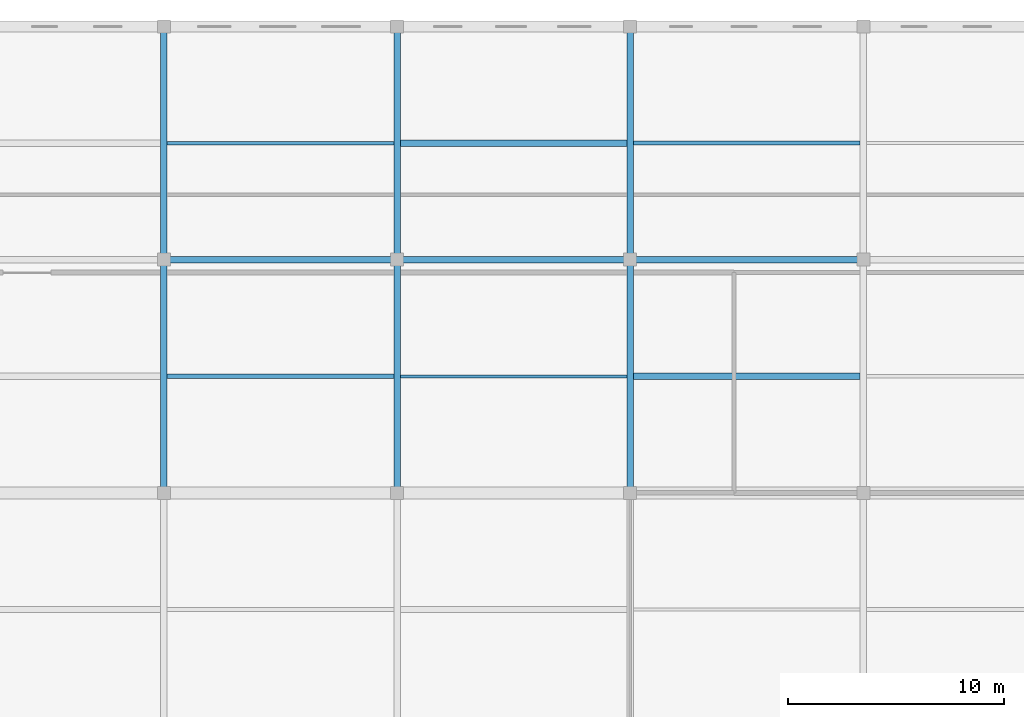
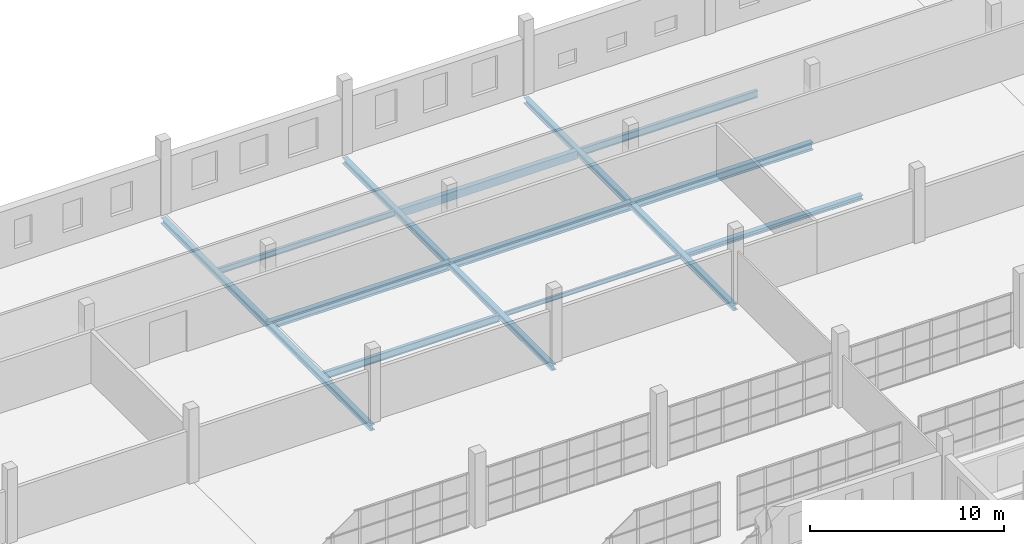
# One storey, part 74 of 142: 15 beams.
"""IFC4 building model written with IfcOpenShell, lengths in metres."""

from ifc_helpers import new_model, si_unit, direction, frame, origin, origin_2d, place, context, subcontext, project, spatial, rectangle, i_section, extrude, material, material_profile, profile_set, type_object, element, save


model = new_model("IFC4")

# Units and contexts
model_context = context("Model", 3, precision=1e-05, world=origin(), true_north=direction((0.0, 1.0)))
body_context = subcontext(model_context, "Body", "Model", "MODEL_VIEW")
ifc_project = project(units=[si_unit("LENGTHUNIT", "METRE"), si_unit("AREAUNIT", "SQUARE_METRE"), si_unit("VOLUMEUNIT", "CUBIC_METRE"), si_unit("PLANEANGLEUNIT", "RADIAN"), si_unit("MASSUNIT", "GRAM", prefix="KILO")], contexts=[model_context])

# Site, building, storey
site_placement = place(None, origin())
site = spatial("IfcSite", under=ifc_project, at=site_placement, CompositionType="ELEMENT")
building_placement = place(site_placement, origin())
building = spatial("IfcBuilding", under=site, at=building_placement, Name="Zwinboog Wholesale Market", CompositionType="ELEMENT")
storey_placement = place(building_placement, frame((0.0, 0.0, 5.39990234375)))
storey = spatial("IfcBuildingStorey", under=building, at=storey_placement, Name="L01", CompositionType="ELEMENT", Elevation=5.39990234375)

# Beams
ifc_material_1 = material(Name="Precast concrete C45/55", Category="concrete")
ifc_material_profile_1 = material_profile(ifc_material_1, rectangle(XDim=0.300048828125, YDim=0.5, at=origin_2d()), Name="PC 300x500")
ifc_profile_set_1 = profile_set([ifc_material_profile_1], Name="Precast concrete C45/55")
beam_type_1 = type_object("IfcBeamType", Name="BT-10", PredefinedType="JOIST", material=ifc_profile_set_1)
beam_1_placement = place(storey_placement, frame((140.550048828125, 124.199951171875, -0.581787109375), z_axis=(1.0, 0.0, 0.0), x_axis=(0.0, 1.0, 0.0)))
element("IfcBeam", 1, at=beam_1_placement, inside=storey, type_object=beam_type_1, Name="BJ-01 (BMG-L01-1406-1242-0880)", PredefinedType="JOIST", context=body_context, shape_type="SweptSolid", body=[
    extrude(rectangle(XDim=0.300048828125, YDim=0.5, at=origin_2d()), origin(), (0.0, 0.0, 1.0), 10.5),
])
ifc_material_2 = material(Name="Steel S355", Category="steel")
ifc_material_profile_2 = material_profile(ifc_material_2, i_section(OverallWidth=0.300048828125, OverallDepth=0.5, WebThickness=0.014404296875, FlangeThickness=0.028076171875, FilletRadius=0.027099609375, at=origin_2d()), Name="HEB 500")
ifc_profile_set_2 = profile_set([ifc_material_profile_2], Name="Steel S355")
beam_type_2 = type_object("IfcBeamType", Name="BT-14", PredefinedType="BEAM", material=ifc_profile_set_2)
beam_2_placement = place(storey_placement, frame((129.60009765625, 118.800048828125, -0.581787109375), z_axis=(1.0, 0.0, 0.0), x_axis=(0.0, 1.0, 0.0)))
element("IfcBeam", 2, at=beam_2_placement, inside=storey, type_object=beam_type_2, Name="SB-01 (BMG-L01-1296-1188-0573)", PredefinedType="BEAM", context=body_context, shape_type="SweptSolid", body=[
    extrude(i_section(OverallWidth=0.300048828125, OverallDepth=0.5, WebThickness=0.014404296875, FlangeThickness=0.028076171875, FilletRadius=0.027099609375, at=origin_2d()), origin(), (0.0, 0.0, 1.0), 10.7998046875),
])
for number, where, z_axis, x_axis, name in (
    (3, (140.39990234375, 118.800048828125, -0.581787109375), (1.0, 0.0, 0.0), (0.0, 1.0, 0.0), "SB-01 (BMG-L01-1404-1188-0574)"),
    (4, (151.199951171875, 118.800048828125, -0.581787109375), (1.0, 0.0, 0.0), (0.0, 1.0, 0.0), "SB-01 (BMG-L01-1512-1188-0575)"),
):
    element("IfcBeam", number, at=place(storey_placement, frame(where, z_axis=z_axis, x_axis=x_axis)), inside=storey, type_object=beam_type_2, Name=name, PredefinedType="BEAM", context=body_context, shape_type="SweptSolid", body=[
        extrude(i_section(OverallWidth=0.300048828125, OverallDepth=0.5, WebThickness=0.014404296875, FlangeThickness=0.028076171875, FilletRadius=0.027099609375, at=origin_2d()), origin(), (0.0, 0.0, 1.0), 10.800048828125),
    ])
ifc_material_profile_3 = material_profile(ifc_material_2, i_section(OverallWidth=0.300048828125, OverallDepth=0.35009765625, WebThickness=0.010009765625, FlangeThickness=0.017578125, FilletRadius=0.027099609375, at=origin_2d()), Name="HEA 360")
ifc_profile_set_3 = profile_set([ifc_material_profile_3], Name="Steel S355")
beam_type_3 = type_object("IfcBeamType", Name="BT-17", PredefinedType="BEAM", material=ifc_profile_set_3)
for number, where, z_axis, x_axis, name in (
    (5, (129.60009765625, 108.0, -0.5068359375), (0.0, 1.0, 0.0), (-1.0, 0.0, 0.0), "SB-04 (BMG-L01-1296-1080-0710)"),
    (6, (129.60009765625, 118.800048828125, -0.5068359375), (0.0, 1.0, 0.0), (-1.0, 0.0, 0.0), "SB-04 (BMG-L01-1296-1188-0711)"),
    (7, (140.39990234375, 108.0, -0.5068359375), (0.0, 1.0, 0.0), (-1.0, 0.0, 0.0), "SB-04 (BMG-L01-1404-1080-0719)"),
    (8, (140.39990234375, 118.800048828125, -0.5068359375), (0.0, 1.0, 0.0), (-1.0, 0.0, 0.0), "SB-04 (BMG-L01-1404-1188-0720)"),
    (9, (151.199951171875, 108.0, -0.5068359375), (0.0, 1.0, 0.0), (-1.0, 0.0, 0.0), "SB-04 (BMG-L01-1512-1080-0731)"),
    (10, (151.199951171875, 118.800048828125, -0.5068359375), (0.0, 1.0, 0.0), (-1.0, 0.0, 0.0), "SB-04 (BMG-L01-1512-1188-0732)"),
):
    element("IfcBeam", number, at=place(storey_placement, frame(where, z_axis=z_axis, x_axis=x_axis)), inside=storey, type_object=beam_type_3, Name=name, PredefinedType="BEAM", context=body_context, shape_type="SweptSolid", body=[
        extrude(i_section(OverallWidth=0.300048828125, OverallDepth=0.35009765625, WebThickness=0.010009765625, FlangeThickness=0.017578125, FilletRadius=0.027099609375, at=origin_2d()), origin(), (0.0, 0.0, 1.0), 10.800048828125),
    ])
ifc_material_profile_4 = material_profile(ifc_material_2, i_section(OverallWidth=0.300048828125, OverallDepth=0.2900390625, WebThickness=0.008544921875, FlangeThickness=0.013916015625, FilletRadius=0.027099609375, at=origin_2d()), Name="HEA 300")
ifc_profile_set_4 = profile_set([ifc_material_profile_4], Name="Steel S355")
beam_type_4 = type_object("IfcBeamType", Name="BT-18", PredefinedType="JOIST", material=ifc_profile_set_4)
beam_3_placement = place(storey_placement, frame((151.35009765625, 113.39990234375, -0.476806640625), z_axis=(1.0, 0.0, 0.0), x_axis=(0.0, 1.0, 0.0)))
element("IfcBeam", 11, at=beam_3_placement, inside=storey, type_object=beam_type_4, Name="SJ-01 (BMG-L01-1514-1134-0881)", PredefinedType="JOIST", context=body_context, shape_type="SweptSolid", body=[
    extrude(i_section(OverallWidth=0.300048828125, OverallDepth=0.2900390625, WebThickness=0.008544921875, FlangeThickness=0.013916015625, FilletRadius=0.027099609375, at=origin_2d()), origin(), (0.0, 0.0, 1.0), 10.5),
])
ifc_material_profile_5 = material_profile(ifc_material_2, i_section(OverallWidth=0.18994140625, OverallDepth=0.449951171875, WebThickness=0.009521484375, FlangeThickness=0.0146484375, FilletRadius=0.02099609375, at=origin_2d()), Name="IPE 450")
ifc_profile_set_5 = profile_set([ifc_material_profile_5], Name="Steel S355")
beam_type_5 = type_object("IfcBeamType", Name="BT-19", PredefinedType="JOIST", material=ifc_profile_set_5)
for number, where, z_axis, x_axis, name in (
    (12, (129.75, 113.39990234375, -0.556884765625), (1.0, 0.0, 0.0), (0.0, 1.0, 0.0), "SJ-02 (BMG-L01-1298-1134-0877)"),
    (13, (151.35009765625, 124.199951171875, -0.556884765625), (1.0, 0.0, 0.0), (0.0, 1.0, 0.0), "SJ-02 (BMG-L01-1514-1242-0882)"),
):
    element("IfcBeam", number, at=place(storey_placement, frame(where, z_axis=z_axis, x_axis=x_axis)), inside=storey, type_object=beam_type_5, Name=name, PredefinedType="JOIST", context=body_context, shape_type="SweptSolid", body=[
        extrude(i_section(OverallWidth=0.18994140625, OverallDepth=0.449951171875, WebThickness=0.009521484375, FlangeThickness=0.0146484375, FilletRadius=0.02099609375, at=origin_2d()), origin(), (0.0, 0.0, 1.0), 10.5),
    ])
ifc_material_profile_6 = material_profile(ifc_material_2, i_section(OverallWidth=0.169921875, OverallDepth=0.360107421875, WebThickness=0.008056640625, FlangeThickness=0.0126953125, FilletRadius=0.01806640625, at=origin_2d()), Name="IPE 360")
ifc_profile_set_6 = profile_set([ifc_material_profile_6], Name="Steel S355")
beam_type_6 = type_object("IfcBeamType", Name="BT-20", PredefinedType="JOIST", material=ifc_profile_set_6)
beam_4_placement = place(storey_placement, frame((129.75, 124.199951171875, -0.511962890625), z_axis=(1.0, 0.0, 0.0), x_axis=(0.0, 1.0, 0.0)))
element("IfcBeam", 14, at=beam_4_placement, inside=storey, type_object=beam_type_6, Name="SJ-03 (BMG-L01-1298-1242-0878)", PredefinedType="JOIST", context=body_context, shape_type="SweptSolid", body=[
    extrude(i_section(OverallWidth=0.169921875, OverallDepth=0.360107421875, WebThickness=0.008056640625, FlangeThickness=0.0126953125, FilletRadius=0.01806640625, at=origin_2d()), origin(), (0.0, 0.0, 1.0), 10.5),
])
ifc_material_profile_7 = material_profile(ifc_material_2, i_section(OverallWidth=0.135009765625, OverallDepth=0.27001953125, WebThickness=0.006591796875, FlangeThickness=0.01025390625, FilletRadius=0.014892578125, at=origin_2d()), Name="IPE 270")
ifc_profile_set_7 = profile_set([ifc_material_profile_7], Name="Steel S355")
beam_type_7 = type_object("IfcBeamType", Name="BT-21", PredefinedType="JOIST", material=ifc_profile_set_7)
beam_5_placement = place(storey_placement, frame((140.550048828125, 113.39990234375, -0.466796875), z_axis=(1.0, 0.0, 0.0), x_axis=(0.0, 1.0, 0.0)))
element("IfcBeam", 15, at=beam_5_placement, inside=storey, type_object=beam_type_7, Name="SJ-04 (BMG-L01-1406-1134-0879)", PredefinedType="JOIST", context=body_context, shape_type="SweptSolid", body=[
    extrude(i_section(OverallWidth=0.135009765625, OverallDepth=0.27001953125, WebThickness=0.006591796875, FlangeThickness=0.01025390625, FilletRadius=0.014892578125, at=origin_2d()), origin(), (0.0, 0.0, 1.0), 10.5),
])

save(model, "model.ifc")
